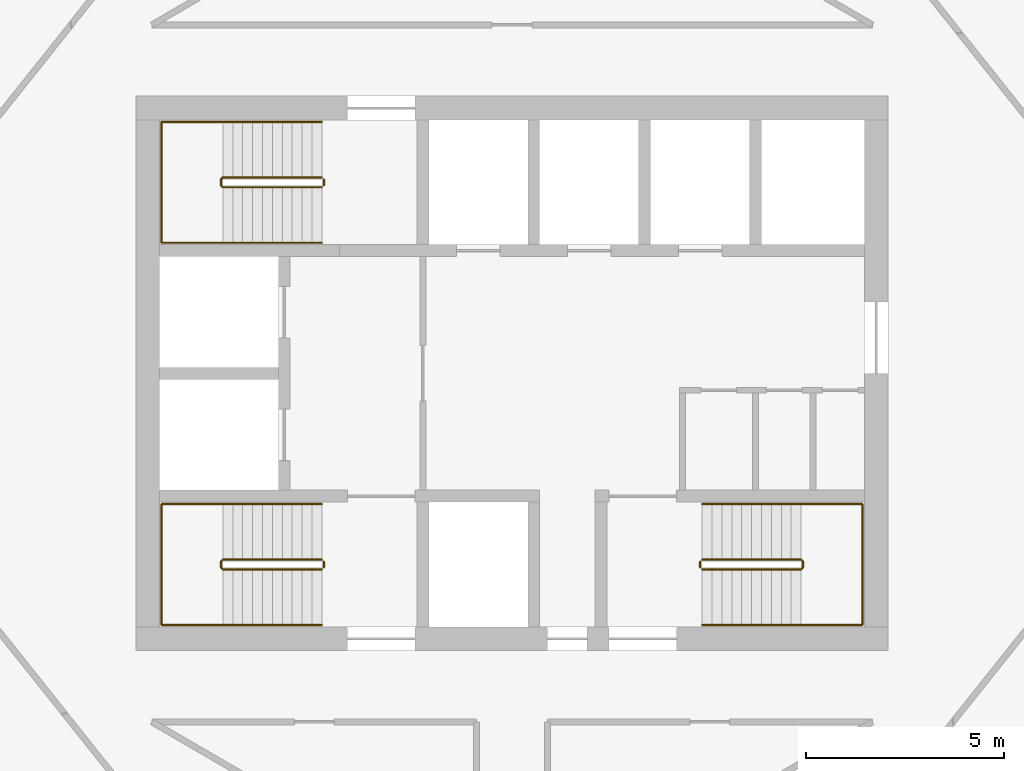
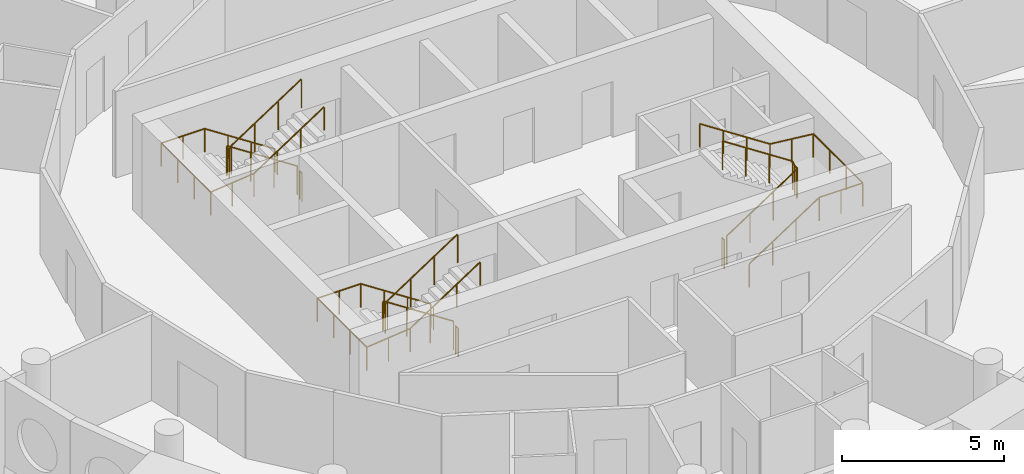
# One storey, part 13 of 13: 9 railings.
"""IFC4 building model written with IfcOpenShell, lengths in metres."""

from ifc_helpers import new_model, si_unit, direction, frame, origin, origin_2d, place, context, subcontext, project, spatial, circle, extrude, material, type_object, element, save


model = new_model("IFC4")

# Units and contexts
model_context = context("Model", 3, precision=1e-05, world=origin(), true_north=direction((0.0, 1.0)))
body_context = subcontext(model_context, "Body", "Model", "MODEL_VIEW")
ifc_project = project(units=[si_unit("LENGTHUNIT", "METRE"), si_unit("AREAUNIT", "SQUARE_METRE"), si_unit("VOLUMEUNIT", "CUBIC_METRE"), si_unit("PLANEANGLEUNIT", "RADIAN"), si_unit("MASSUNIT", "GRAM", prefix="KILO")], contexts=[model_context])

# Site, building, storey
site_placement = place(None, origin())
site = spatial("IfcSite", under=ifc_project, at=site_placement, CompositionType="ELEMENT")
building_placement = place(site_placement, origin())
building = spatial("IfcBuilding", under=site, at=building_placement, Name="Tracery Tower", CompositionType="ELEMENT")
storey_placement = place(building_placement, frame((0.0, 0.0, 319.800048828125)))
storey = spatial("IfcBuildingStorey", under=building, at=storey_placement, Name="L83", CompositionType="ELEMENT", Elevation=319.800048828125)

# Railings
ifc_material_1 = material(Name="Stainless steel and laminated glass", Category="steel")
railing_type_1 = type_object("IfcRailingType", Name="Stair guard 1100", PredefinedType="GUARDRAIL", material=ifc_material_1)
railing_1_placement = place(storey_placement, frame((-4.800048828125, -4.699951171875, 0.16357421875)))
element("IfcRailing", 1, at=railing_1_placement, inside=storey, type_object=railing_type_1, Name="L83 stair ST1 guard 1", PredefinedType="GUARDRAIL", context=body_context, shape_type="SweptSolid", body=[
    extrude(circle(Radius=0.02392578125, at=origin_2d()), frame((0.0, 0.0, 1.076171875), z_axis=(-0.83668449804, 0.0, 0.54768517484), x_axis=(0.0, -1.0, 0.0)), (0.0, 0.0, 1.0), 2.988037109375),
    extrude(circle(Radius=0.02392578125, at=origin_2d()), frame((-2.5, 0.0, 2.71240234375), z_axis=(-0.707106781187, -0.707106781187, 0.0), x_axis=(0.707106781187, -0.707106781187, 0.0)), (0.0, 0.0, 1.0), 0.07080078125),
    extrude(circle(Radius=0.02392578125, at=origin_2d()), frame((-2.550048828125, -0.050048828125, 2.71240234375), z_axis=(0.0, -1.0, 0.0), x_axis=(1.0, 0.0, 0.0)), (0.0, 0.0, 1.0), 0.14990234375),
    extrude(circle(Radius=0.02392578125, at=origin_2d()), frame((-2.550048828125, -0.199951171875, 2.71240234375), z_axis=(0.280808744504, -0.280808744504, 0.917765164963), x_axis=(0.707106781187, 0.707106781187, 0.0)), (0.0, 0.0, 1.0), 0.17822265625),
    extrude(circle(Radius=0.02392578125, at=origin_2d()), frame((-2.5, -0.25, 2.8759765625), z_axis=(0.836721939367, 0.0, 0.547627972425), x_axis=(0.0, 1.0, 0.0)), (0.0, 0.0, 1.0), 2.98779296875),
    extrude(circle(Radius=0.02099609375, at=origin_2d()), origin(), (0.0, 0.0, 1.0), 1.052001953125),
    extrude(circle(Radius=0.02099609375, at=origin_2d()), frame((-0.833251953125, 0.0, 0.54541015625)), (0.0, 0.0, 1.0), 1.052001953125),
    extrude(circle(Radius=0.02099609375, at=origin_2d()), frame((-1.666748046875, 0.0, 1.091064453125)), (0.0, 0.0, 1.0), 1.052001953125),
    extrude(circle(Radius=0.02099609375, at=origin_2d()), frame((-2.5, 0.0, 1.636474609375)), (0.0, 0.0, 1.0), 1.052001953125),
    extrude(circle(Radius=0.02099609375, at=origin_2d()), frame((-2.550048828125, -0.050048828125, 1.636474609375)), (0.0, 0.0, 1.0), 1.052001953125),
    extrude(circle(Radius=0.02099609375, at=origin_2d()), frame((-2.550048828125, -0.199951171875, 1.636474609375)), (0.0, 0.0, 1.0), 1.052001953125),
    extrude(circle(Radius=0.02099609375, at=origin_2d()), frame((-2.5, -0.25, 1.800048828125)), (0.0, 0.0, 1.0), 1.052001953125),
    extrude(circle(Radius=0.02099609375, at=origin_2d()), frame((-1.666748046875, -0.25, 2.345458984375)), (0.0, 0.0, 1.0), 1.052001953125),
    extrude(circle(Radius=0.02099609375, at=origin_2d()), frame((-0.833251953125, -0.25, 2.890869140625)), (0.0, 0.0, 1.0), 1.052001953125),
    extrude(circle(Radius=0.02099609375, at=origin_2d()), frame((0.0, -0.25, 3.436279296875)), (0.0, 0.0, 1.0), 1.052001953125),
])
railing_2_placement = place(storey_placement, frame((-4.75, -4.75, 0.0)))
element("IfcRailing", 2, at=railing_2_placement, inside=storey, type_object=railing_type_1, Name="L83 stair ST1 guard 2", PredefinedType="GUARDRAIL", context=body_context, shape_type="SweptSolid", body=[
    extrude(circle(Radius=0.02392578125, at=origin_2d()), frame((0.0, 0.0, 1.076171875), z_axis=(0.0, -1.0, 0.0), x_axis=(1.0, 0.0, 0.0)), (0.0, 0.0, 1.0), 0.14990234375),
    extrude(circle(Radius=0.02099609375, at=origin_2d()), origin(), (0.0, 0.0, 1.0), 1.052001953125),
    extrude(circle(Radius=0.02099609375, at=origin_2d()), frame((0.0, -0.14990234375, 0.0)), (0.0, 0.0, 1.0), 1.052001953125),
])
railing_3_placement = place(storey_placement, frame((-4.800048828125, 4.949951171875, 0.16357421875)))
element("IfcRailing", 3, at=railing_3_placement, inside=storey, type_object=railing_type_1, Name="L83 stair ST3 guard 1", PredefinedType="GUARDRAIL", context=body_context, shape_type="SweptSolid", body=[
    extrude(circle(Radius=0.02392578125, at=origin_2d()), frame((0.0, 0.0, 1.076171875), z_axis=(-0.83668449804, 0.0, 0.54768517484), x_axis=(0.0, -1.0, 0.0)), (0.0, 0.0, 1.0), 2.988037109375),
    extrude(circle(Radius=0.02392578125, at=origin_2d()), frame((-2.5, 0.0, 2.71240234375), z_axis=(-0.707106781187, -0.707106781187, 0.0), x_axis=(0.707106781187, -0.707106781187, 0.0)), (0.0, 0.0, 1.0), 0.07080078125),
    extrude(circle(Radius=0.02392578125, at=origin_2d()), frame((-2.550048828125, -0.050048828125, 2.71240234375), z_axis=(0.0, -1.0, 0.0), x_axis=(1.0, 0.0, 0.0)), (0.0, 0.0, 1.0), 0.14990234375),
    extrude(circle(Radius=0.02392578125, at=origin_2d()), frame((-2.550048828125, -0.199951171875, 2.71240234375), z_axis=(0.280808744504, -0.280808744504, 0.917765164963), x_axis=(0.707106781187, 0.707106781187, 0.0)), (0.0, 0.0, 1.0), 0.17822265625),
    extrude(circle(Radius=0.02392578125, at=origin_2d()), frame((-2.5, -0.25, 2.8759765625), z_axis=(0.836721939367, 0.0, 0.547627972425), x_axis=(0.0, 1.0, 0.0)), (0.0, 0.0, 1.0), 2.98779296875),
    extrude(circle(Radius=0.02099609375, at=origin_2d()), origin(), (0.0, 0.0, 1.0), 1.052001953125),
    extrude(circle(Radius=0.02099609375, at=origin_2d()), frame((-0.833251953125, 0.0, 0.54541015625)), (0.0, 0.0, 1.0), 1.052001953125),
    extrude(circle(Radius=0.02099609375, at=origin_2d()), frame((-1.666748046875, 0.0, 1.091064453125)), (0.0, 0.0, 1.0), 1.052001953125),
    extrude(circle(Radius=0.02099609375, at=origin_2d()), frame((-2.5, 0.0, 1.636474609375)), (0.0, 0.0, 1.0), 1.052001953125),
    extrude(circle(Radius=0.02099609375, at=origin_2d()), frame((-2.550048828125, -0.050048828125, 1.636474609375)), (0.0, 0.0, 1.0), 1.052001953125),
    extrude(circle(Radius=0.02099609375, at=origin_2d()), frame((-2.550048828125, -0.199951171875, 1.636474609375)), (0.0, 0.0, 1.0), 1.052001953125),
    extrude(circle(Radius=0.02099609375, at=origin_2d()), frame((-2.5, -0.25, 1.800048828125)), (0.0, 0.0, 1.0), 1.052001953125),
    extrude(circle(Radius=0.02099609375, at=origin_2d()), frame((-1.666748046875, -0.25, 2.345458984375)), (0.0, 0.0, 1.0), 1.052001953125),
    extrude(circle(Radius=0.02099609375, at=origin_2d()), frame((-0.833251953125, -0.25, 2.890869140625)), (0.0, 0.0, 1.0), 1.052001953125),
    extrude(circle(Radius=0.02099609375, at=origin_2d()), frame((0.0, -0.25, 3.436279296875)), (0.0, 0.0, 1.0), 1.052001953125),
])
railing_4_placement = place(storey_placement, frame((-4.75, 4.89990234375, 0.0)))
element("IfcRailing", 4, at=railing_4_placement, inside=storey, type_object=railing_type_1, Name="L83 stair ST3 guard 2", PredefinedType="GUARDRAIL", context=body_context, shape_type="SweptSolid", body=[
    extrude(circle(Radius=0.02392578125, at=origin_2d()), frame((0.0, 0.0, 1.076171875), z_axis=(0.0, -1.0, 0.0), x_axis=(1.0, 0.0, 0.0)), (0.0, 0.0, 1.0), 0.14990234375),
    extrude(circle(Radius=0.02099609375, at=origin_2d()), origin(), (0.0, 0.0, 1.0), 1.052001953125),
    extrude(circle(Radius=0.02099609375, at=origin_2d()), frame((0.0, -0.14990234375, 0.0)), (0.0, 0.0, 1.0), 1.052001953125),
])
railing_5_placement = place(storey_placement, frame((4.800048828125, -4.949951171875, 0.16357421875)))
element("IfcRailing", 5, at=railing_5_placement, inside=storey, type_object=railing_type_1, Name="L83 stair ST2 guard 1", PredefinedType="GUARDRAIL", context=body_context, shape_type="SweptSolid", body=[
    extrude(circle(Radius=0.02392578125, at=origin_2d()), frame((0.0, 0.0, 1.076171875), z_axis=(0.83668449804, 0.0, 0.54768517484), x_axis=(0.0, 1.0, 0.0)), (0.0, 0.0, 1.0), 2.988037109375),
    extrude(circle(Radius=0.02392578125, at=origin_2d()), frame((2.5, 0.0, 2.71240234375), z_axis=(0.707106781187, 0.707106781187, 0.0), x_axis=(-0.707106781187, 0.707106781187, 0.0)), (0.0, 0.0, 1.0), 0.07080078125),
    extrude(circle(Radius=0.02392578125, at=origin_2d()), frame((2.550048828125, 0.050048828125, 2.71240234375), z_axis=(0.0, 1.0, 0.0), x_axis=(-1.0, 0.0, 0.0)), (0.0, 0.0, 1.0), 0.14990234375),
    extrude(circle(Radius=0.02392578125, at=origin_2d()), frame((2.550048828125, 0.199951171875, 2.71240234375), z_axis=(-0.280808744504, 0.280808744504, 0.917765164963), x_axis=(-0.707106781187, -0.707106781187, 0.0)), (0.0, 0.0, 1.0), 0.17822265625),
    extrude(circle(Radius=0.02392578125, at=origin_2d()), frame((2.5, 0.25, 2.8759765625), z_axis=(-0.836721939367, 0.0, 0.547627972425), x_axis=(0.0, -1.0, 0.0)), (0.0, 0.0, 1.0), 2.98779296875),
    extrude(circle(Radius=0.02099609375, at=origin_2d()), origin(), (0.0, 0.0, 1.0), 1.052001953125),
    extrude(circle(Radius=0.02099609375, at=origin_2d()), frame((0.833251953125, 0.0, 0.54541015625)), (0.0, 0.0, 1.0), 1.052001953125),
    extrude(circle(Radius=0.02099609375, at=origin_2d()), frame((1.666748046875, 0.0, 1.091064453125)), (0.0, 0.0, 1.0), 1.052001953125),
    extrude(circle(Radius=0.02099609375, at=origin_2d()), frame((2.5, 0.0, 1.636474609375)), (0.0, 0.0, 1.0), 1.052001953125),
    extrude(circle(Radius=0.02099609375, at=origin_2d()), frame((2.550048828125, 0.050048828125, 1.636474609375)), (0.0, 0.0, 1.0), 1.052001953125),
    extrude(circle(Radius=0.02099609375, at=origin_2d()), frame((2.550048828125, 0.199951171875, 1.636474609375)), (0.0, 0.0, 1.0), 1.052001953125),
    extrude(circle(Radius=0.02099609375, at=origin_2d()), frame((2.5, 0.25, 1.800048828125)), (0.0, 0.0, 1.0), 1.052001953125),
    extrude(circle(Radius=0.02099609375, at=origin_2d()), frame((1.666748046875, 0.25, 2.345458984375)), (0.0, 0.0, 1.0), 1.052001953125),
    extrude(circle(Radius=0.02099609375, at=origin_2d()), frame((0.833251953125, 0.25, 2.890869140625)), (0.0, 0.0, 1.0), 1.052001953125),
    extrude(circle(Radius=0.02099609375, at=origin_2d()), frame((0.0, 0.25, 3.436279296875)), (0.0, 0.0, 1.0), 1.052001953125),
])
railing_6_placement = place(storey_placement, frame((4.75, -4.89990234375, 0.0)))
element("IfcRailing", 6, at=railing_6_placement, inside=storey, type_object=railing_type_1, Name="L83 stair ST2 guard 2", PredefinedType="GUARDRAIL", context=body_context, shape_type="SweptSolid", body=[
    extrude(circle(Radius=0.02392578125, at=origin_2d()), frame((0.0, 0.0, 1.076171875), z_axis=(0.0, 1.0, 0.0), x_axis=(-1.0, 0.0, 0.0)), (0.0, 0.0, 1.0), 0.14990234375),
    extrude(circle(Radius=0.02099609375, at=origin_2d()), origin(), (0.0, 0.0, 1.0), 1.052001953125),
    extrude(circle(Radius=0.02099609375, at=origin_2d()), frame((0.0, 0.14990234375, 0.0)), (0.0, 0.0, 1.0), 1.052001953125),
])
ifc_material_2 = material(Name="Stainless steel and laminated glass", Category="steel")
railing_type_2 = type_object("IfcRailingType", Name="Stair handrail 900", PredefinedType="HANDRAIL", material=ifc_material_2)
railing_7_placement = place(storey_placement, frame((-4.800048828125, -3.300048828125, 0.16357421875)))
element("IfcRailing", 7, at=railing_7_placement, inside=storey, type_object=railing_type_2, Name="L83 stair ST1 handrail 1", PredefinedType="HANDRAIL", context=body_context, shape_type="SweptSolid", body=[
    extrude(circle(Radius=0.02392578125, at=origin_2d()), frame((0.0, 0.0, 0.8759765625), z_axis=(-0.83668449804, 0.0, 0.54768517484), x_axis=(0.0, -1.0, 0.0)), (0.0, 0.0, 1.0), 2.988037109375),
    extrude(circle(Radius=0.02392578125, at=origin_2d()), frame((-2.5, 0.0, 2.51220703125), z_axis=(-1.0, 0.0, 0.0), x_axis=(0.0, -1.0, 0.0)), (0.0, 0.0, 1.0), 1.550048828125),
    extrude(circle(Radius=0.02392578125, at=origin_2d()), frame((-4.050048828125, 0.0, 2.51220703125), z_axis=(0.0, -1.0, 0.0), x_axis=(1.0, 0.0, 0.0)), (0.0, 0.0, 1.0), 3.050048828125),
    extrude(circle(Radius=0.02392578125, at=origin_2d()), frame((-4.050048828125, -3.050048828125, 2.51220703125), z_axis=(0.994477953863, 0.0, 0.104945696817), x_axis=(0.0, 1.0, 0.0)), (0.0, 0.0, 1.0), 1.55859375),
    extrude(circle(Radius=0.02392578125, at=origin_2d()), frame((-2.5, -3.050048828125, 2.67578125), z_axis=(0.836721939367, 0.0, 0.547627972425), x_axis=(0.0, 1.0, 0.0)), (0.0, 0.0, 1.0), 2.98779296875),
    extrude(circle(Radius=0.02099609375, at=origin_2d()), origin(), (0.0, 0.0, 1.0), 0.851806640625),
    extrude(circle(Radius=0.02099609375, at=origin_2d()), frame((-0.833251953125, 0.0, 0.54541015625)), (0.0, 0.0, 1.0), 0.851806640625),
    extrude(circle(Radius=0.02099609375, at=origin_2d()), frame((-1.666748046875, 0.0, 1.091064453125)), (0.0, 0.0, 1.0), 0.851806640625),
    extrude(circle(Radius=0.02099609375, at=origin_2d()), frame((-2.5, 0.0, 1.636474609375)), (0.0, 0.0, 1.0), 0.851806640625),
    extrude(circle(Radius=0.02099609375, at=origin_2d()), frame((-3.27490234375, 0.0, 1.636474609375)), (0.0, 0.0, 1.0), 0.851806640625),
    extrude(circle(Radius=0.02099609375, at=origin_2d()), frame((-4.050048828125, 0.0, 1.636474609375)), (0.0, 0.0, 1.0), 0.851806640625),
    extrude(circle(Radius=0.02099609375, at=origin_2d()), frame((-4.050048828125, -1.0166015625, 1.636474609375)), (0.0, 0.0, 1.0), 0.851806640625),
    extrude(circle(Radius=0.02099609375, at=origin_2d()), frame((-4.050048828125, -2.033447265625, 1.636474609375)), (0.0, 0.0, 1.0), 0.851806640625),
    extrude(circle(Radius=0.02099609375, at=origin_2d()), frame((-4.050048828125, -3.050048828125, 1.636474609375)), (0.0, 0.0, 1.0), 0.851806640625),
    extrude(circle(Radius=0.02099609375, at=origin_2d()), frame((-3.27490234375, -3.050048828125, 1.71826171875)), (0.0, 0.0, 1.0), 0.851806640625),
    extrude(circle(Radius=0.02099609375, at=origin_2d()), frame((-2.5, -3.050048828125, 1.800048828125)), (0.0, 0.0, 1.0), 0.851806640625),
    extrude(circle(Radius=0.02099609375, at=origin_2d()), frame((-1.666748046875, -3.050048828125, 2.345458984375)), (0.0, 0.0, 1.0), 0.851806640625),
    extrude(circle(Radius=0.02099609375, at=origin_2d()), frame((-0.833251953125, -3.050048828125, 2.890869140625)), (0.0, 0.0, 1.0), 0.851806640625),
    extrude(circle(Radius=0.02099609375, at=origin_2d()), frame((0.0, -3.050048828125, 3.436279296875)), (0.0, 0.0, 1.0), 0.851806640625),
])
railing_8_placement = place(storey_placement, frame((-4.800048828125, 6.35009765625, 0.16357421875)))
element("IfcRailing", 8, at=railing_8_placement, inside=storey, type_object=railing_type_2, Name="L83 stair ST3 handrail 1", PredefinedType="HANDRAIL", context=body_context, shape_type="SweptSolid", body=[
    extrude(circle(Radius=0.02392578125, at=origin_2d()), frame((0.0, 0.0, 0.8759765625), z_axis=(-0.83668449804, 0.0, 0.54768517484), x_axis=(0.0, -1.0, 0.0)), (0.0, 0.0, 1.0), 2.988037109375),
    extrude(circle(Radius=0.02392578125, at=origin_2d()), frame((-2.5, 0.0, 2.51220703125), z_axis=(-1.0, 0.0, 0.0), x_axis=(0.0, -1.0, 0.0)), (0.0, 0.0, 1.0), 1.550048828125),
    extrude(circle(Radius=0.02392578125, at=origin_2d()), frame((-4.050048828125, 0.0, 2.51220703125), z_axis=(0.0, -1.0, 0.0), x_axis=(1.0, 0.0, 0.0)), (0.0, 0.0, 1.0), 3.050048828125),
    extrude(circle(Radius=0.02392578125, at=origin_2d()), frame((-4.050048828125, -3.050048828125, 2.51220703125), z_axis=(0.994477953863, 0.0, 0.104945696817), x_axis=(0.0, 1.0, 0.0)), (0.0, 0.0, 1.0), 1.55859375),
    extrude(circle(Radius=0.02392578125, at=origin_2d()), frame((-2.5, -3.050048828125, 2.67578125), z_axis=(0.836721939367, 0.0, 0.547627972425), x_axis=(0.0, 1.0, 0.0)), (0.0, 0.0, 1.0), 2.98779296875),
    extrude(circle(Radius=0.02099609375, at=origin_2d()), origin(), (0.0, 0.0, 1.0), 0.851806640625),
    extrude(circle(Radius=0.02099609375, at=origin_2d()), frame((-0.833251953125, 0.0, 0.54541015625)), (0.0, 0.0, 1.0), 0.851806640625),
    extrude(circle(Radius=0.02099609375, at=origin_2d()), frame((-1.666748046875, 0.0, 1.091064453125)), (0.0, 0.0, 1.0), 0.851806640625),
    extrude(circle(Radius=0.02099609375, at=origin_2d()), frame((-2.5, 0.0, 1.636474609375)), (0.0, 0.0, 1.0), 0.851806640625),
    extrude(circle(Radius=0.02099609375, at=origin_2d()), frame((-3.27490234375, 0.0, 1.636474609375)), (0.0, 0.0, 1.0), 0.851806640625),
    extrude(circle(Radius=0.02099609375, at=origin_2d()), frame((-4.050048828125, 0.0, 1.636474609375)), (0.0, 0.0, 1.0), 0.851806640625),
    extrude(circle(Radius=0.02099609375, at=origin_2d()), frame((-4.050048828125, -1.0166015625, 1.636474609375)), (0.0, 0.0, 1.0), 0.851806640625),
    extrude(circle(Radius=0.02099609375, at=origin_2d()), frame((-4.050048828125, -2.033447265625, 1.636474609375)), (0.0, 0.0, 1.0), 0.851806640625),
    extrude(circle(Radius=0.02099609375, at=origin_2d()), frame((-4.050048828125, -3.050048828125, 1.636474609375)), (0.0, 0.0, 1.0), 0.851806640625),
    extrude(circle(Radius=0.02099609375, at=origin_2d()), frame((-3.27490234375, -3.050048828125, 1.71826171875)), (0.0, 0.0, 1.0), 0.851806640625),
    extrude(circle(Radius=0.02099609375, at=origin_2d()), frame((-2.5, -3.050048828125, 1.800048828125)), (0.0, 0.0, 1.0), 0.851806640625),
    extrude(circle(Radius=0.02099609375, at=origin_2d()), frame((-1.666748046875, -3.050048828125, 2.345458984375)), (0.0, 0.0, 1.0), 0.851806640625),
    extrude(circle(Radius=0.02099609375, at=origin_2d()), frame((-0.833251953125, -3.050048828125, 2.890869140625)), (0.0, 0.0, 1.0), 0.851806640625),
    extrude(circle(Radius=0.02099609375, at=origin_2d()), frame((0.0, -3.050048828125, 3.436279296875)), (0.0, 0.0, 1.0), 0.851806640625),
])
railing_9_placement = place(storey_placement, frame((4.800048828125, -6.35009765625, 0.16357421875)))
element("IfcRailing", 9, at=railing_9_placement, inside=storey, type_object=railing_type_2, Name="L83 stair ST2 handrail 1", PredefinedType="HANDRAIL", context=body_context, shape_type="SweptSolid", body=[
    extrude(circle(Radius=0.02392578125, at=origin_2d()), frame((0.0, 0.0, 0.8759765625), z_axis=(0.83668449804, 0.0, 0.54768517484), x_axis=(0.0, 1.0, 0.0)), (0.0, 0.0, 1.0), 2.988037109375),
    extrude(circle(Radius=0.02392578125, at=origin_2d()), frame((2.5, 0.0, 2.51220703125), z_axis=(1.0, 0.0, 0.0), x_axis=(0.0, 1.0, 0.0)), (0.0, 0.0, 1.0), 1.550048828125),
    extrude(circle(Radius=0.02392578125, at=origin_2d()), frame((4.050048828125, 0.0, 2.51220703125), z_axis=(0.0, 1.0, 0.0), x_axis=(-1.0, 0.0, 0.0)), (0.0, 0.0, 1.0), 3.050048828125),
    extrude(circle(Radius=0.02392578125, at=origin_2d()), frame((4.050048828125, 3.050048828125, 2.51220703125), z_axis=(-0.994477953863, 0.0, 0.104945696817), x_axis=(0.0, -1.0, 0.0)), (0.0, 0.0, 1.0), 1.55859375),
    extrude(circle(Radius=0.02392578125, at=origin_2d()), frame((2.5, 3.050048828125, 2.67578125), z_axis=(-0.836721939367, 0.0, 0.547627972425), x_axis=(0.0, -1.0, 0.0)), (0.0, 0.0, 1.0), 2.98779296875),
    extrude(circle(Radius=0.02099609375, at=origin_2d()), origin(), (0.0, 0.0, 1.0), 0.851806640625),
    extrude(circle(Radius=0.02099609375, at=origin_2d()), frame((0.833251953125, 0.0, 0.54541015625)), (0.0, 0.0, 1.0), 0.851806640625),
    extrude(circle(Radius=0.02099609375, at=origin_2d()), frame((1.666748046875, 0.0, 1.091064453125)), (0.0, 0.0, 1.0), 0.851806640625),
    extrude(circle(Radius=0.02099609375, at=origin_2d()), frame((2.5, 0.0, 1.636474609375)), (0.0, 0.0, 1.0), 0.851806640625),
    extrude(circle(Radius=0.02099609375, at=origin_2d()), frame((3.27490234375, 0.0, 1.636474609375)), (0.0, 0.0, 1.0), 0.851806640625),
    extrude(circle(Radius=0.02099609375, at=origin_2d()), frame((4.050048828125, 0.0, 1.636474609375)), (0.0, 0.0, 1.0), 0.851806640625),
    extrude(circle(Radius=0.02099609375, at=origin_2d()), frame((4.050048828125, 1.0166015625, 1.636474609375)), (0.0, 0.0, 1.0), 0.851806640625),
    extrude(circle(Radius=0.02099609375, at=origin_2d()), frame((4.050048828125, 2.033447265625, 1.636474609375)), (0.0, 0.0, 1.0), 0.851806640625),
    extrude(circle(Radius=0.02099609375, at=origin_2d()), frame((4.050048828125, 3.050048828125, 1.636474609375)), (0.0, 0.0, 1.0), 0.851806640625),
    extrude(circle(Radius=0.02099609375, at=origin_2d()), frame((3.27490234375, 3.050048828125, 1.71826171875)), (0.0, 0.0, 1.0), 0.851806640625),
    extrude(circle(Radius=0.02099609375, at=origin_2d()), frame((2.5, 3.050048828125, 1.800048828125)), (0.0, 0.0, 1.0), 0.851806640625),
    extrude(circle(Radius=0.02099609375, at=origin_2d()), frame((1.666748046875, 3.050048828125, 2.345458984375)), (0.0, 0.0, 1.0), 0.851806640625),
    extrude(circle(Radius=0.02099609375, at=origin_2d()), frame((0.833251953125, 3.050048828125, 2.890869140625)), (0.0, 0.0, 1.0), 0.851806640625),
    extrude(circle(Radius=0.02099609375, at=origin_2d()), frame((0.0, 3.050048828125, 3.436279296875)), (0.0, 0.0, 1.0), 0.851806640625),
])

save(model, "model.ifc")
